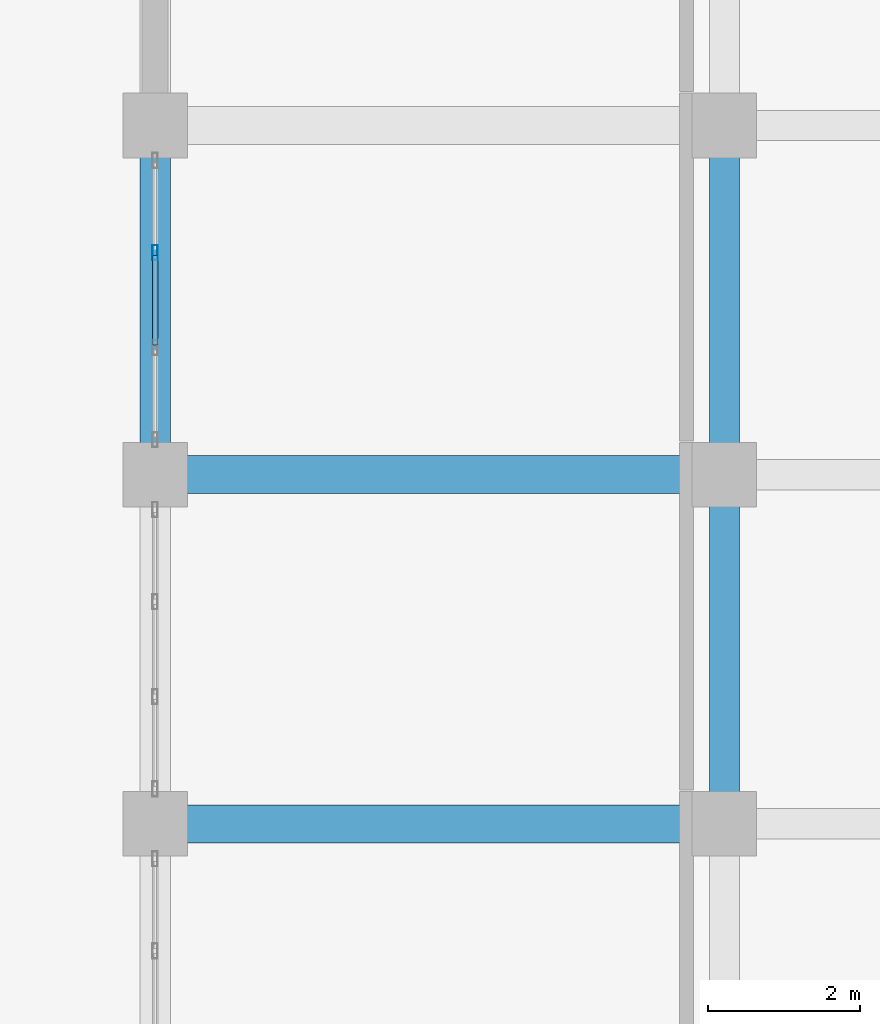
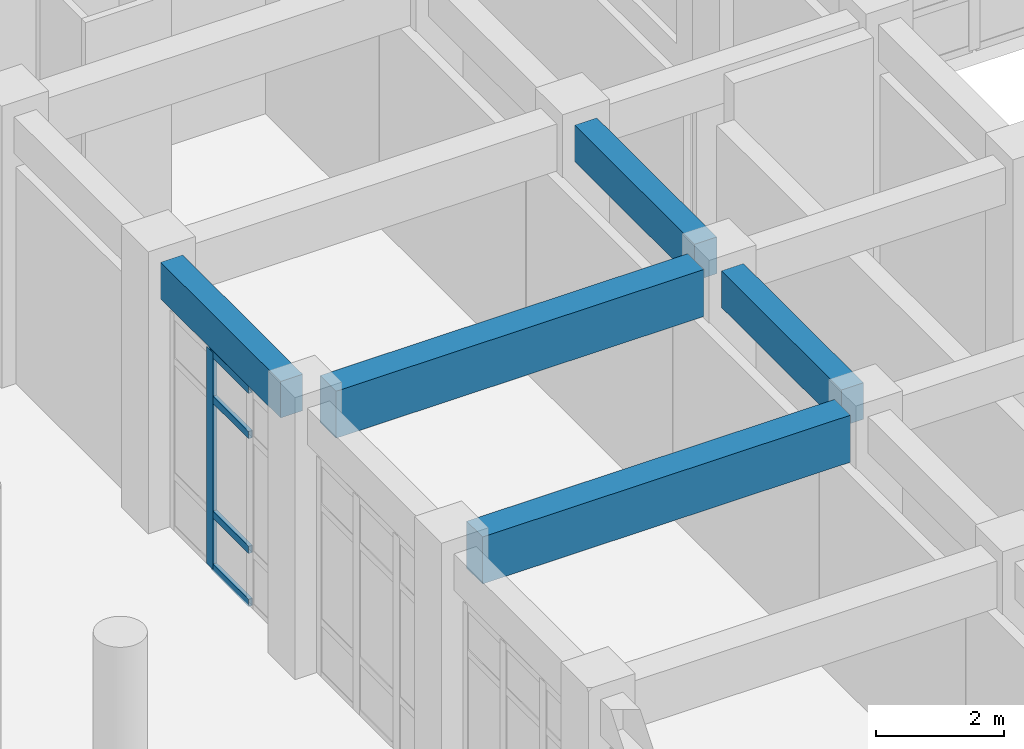
# One storey, part 15 of 84: 5 beams, 5 members, 1 element without a shape of its own.
"""IFC4 building model written with IfcOpenShell, lengths in metres."""

from ifc_helpers import new_model, si_unit, direction, frame, origin, origin_2d, place, context, subcontext, project, spatial, rectangle, hollow_rectangle, extrude, material, layer, layer_set, material_profile, profile_set, type_object, element, aggregate, save


model = new_model("IFC4")

# Units and contexts
model_context = context("Model", 3, precision=1e-05, world=origin(), true_north=direction((0.0, 1.0)))
body_context = subcontext(model_context, "Body", "Model", "MODEL_VIEW")
ifc_project = project(units=[si_unit("LENGTHUNIT", "METRE"), si_unit("AREAUNIT", "SQUARE_METRE"), si_unit("VOLUMEUNIT", "CUBIC_METRE"), si_unit("PLANEANGLEUNIT", "RADIAN"), si_unit("MASSUNIT", "GRAM", prefix="KILO")], contexts=[model_context])

# Site, building, storey
site_placement = place(None, origin())
site = spatial("IfcSite", under=ifc_project, at=site_placement, CompositionType="ELEMENT")
building_placement = place(site_placement, origin())
building = spatial("IfcBuilding", under=site, at=building_placement, Name="Muzn Square Opera House", CompositionType="ELEMENT")
storey_placement = place(building_placement, origin())
storey = spatial("IfcBuildingStorey", under=building, at=storey_placement, Name="L00", CompositionType="ELEMENT", Elevation=0.0)

# Curtain wall, members
ifc_material_1 = material(Name="Low-E laminated acoustic double glazing", Category="glass")
ifc_layer = layer(ifc_material_1, 0.159912109375, Name="Low-E laminated acoustic double glazing", Category="glass")
ifc_layer_set = layer_set([ifc_layer], Name="Low-E laminated acoustic double glazing")
curtain_wall_type = type_object("IfcCurtainWallType", Name="Glazed Curtain Wall WestBlvd 3750x4150", PredefinedType="USERDEFINED", material=ifc_layer_set)
curtain_wall_placement = place(storey_placement, origin())
curtain_wall = element("IfcCurtainWall", 1, at=curtain_wall_placement, inside=storey, type_object=curtain_wall_type, Name="Glazed Curtain Wall CW-L00-138", ObjectType="GLAZED CURTAIN WALL", PredefinedType="USERDEFINED")
ifc_material_2 = material(Name="Anodised bronze aluminium 6063-T6", Category="metal")
ifc_material_profile_1 = material_profile(ifc_material_2, hollow_rectangle(XDim=0.070068359375, YDim=0.199951171875, WallThickness=0.0048828125, at=origin_2d()), Name="ALU 200x70x5", Category="metal")
ifc_profile_set_1 = profile_set([ifc_material_profile_1], Name="Anodised bronze aluminium 6063-T6")
member_type_1 = type_object("IfcMemberType", Name="Curtain Wall Mullion 200x70", PredefinedType="MULLION", material=ifc_profile_set_1)
member_1_placement = place(storey_placement, frame((6.0, 47.925048828125, 0.0), z_axis=(0.0, 0.0, 1.0), x_axis=(-1.0, 0.0, 0.0)))
member_1 = element("IfcMember", 2, at=member_1_placement, type_object=member_type_1, Name="CW-WBL-37x41 mullion 3", PredefinedType="MULLION", context=body_context, shape_type="SweptSolid", body=[
    extrude(hollow_rectangle(XDim=0.070068359375, YDim=0.199951171875, WallThickness=0.0048828125, at=origin_2d()), origin(), (0.0, 0.0, 1.0), 4.14990234375),
])
ifc_material_profile_2 = material_profile(ifc_material_2, hollow_rectangle(XDim=0.070068359375, YDim=0.139892578125, WallThickness=0.00390625, at=origin_2d()), Name="ALU 140x70x4", Category="metal")
ifc_profile_set_2 = profile_set([ifc_material_profile_2], Name="Anodised bronze aluminium 6063-T6")
member_type_2 = type_object("IfcMemberType", Name="Curtain Wall Transom 140x70", PredefinedType="USERDEFINED", material=ifc_profile_set_2)
member_2_placement = place(storey_placement, frame((6.0, 46.7099609375, 0.034912109375), z_axis=(0.0, 1.0, 0.0), x_axis=(-1.0, 0.0, 0.0)))
member_2 = element("IfcMember", 3, at=member_2_placement, type_object=member_type_2, Name="CW-WBL-37x41 transom 2.1", ObjectType="TRANSOM", PredefinedType="USERDEFINED", context=body_context, shape_type="SweptSolid", body=[
    extrude(hollow_rectangle(XDim=0.070068359375, YDim=0.139892578125, WallThickness=0.00390625, at=origin_2d()), origin(), (0.0, 0.0, 1.0), 1.179931640625),
])
member_3_placement = place(storey_placement, frame((6.0, 46.7099609375, 1.050048828125), z_axis=(0.0, 1.0, 0.0), x_axis=(-1.0, 0.0, 0.0)))
member_3 = element("IfcMember", 4, at=member_3_placement, type_object=member_type_2, Name="CW-WBL-37x41 transom 2.2", ObjectType="TRANSOM", PredefinedType="USERDEFINED", context=body_context, shape_type="SweptSolid", body=[
    extrude(hollow_rectangle(XDim=0.070068359375, YDim=0.139892578125, WallThickness=0.00390625, at=origin_2d()), origin(), (0.0, 0.0, 1.0), 1.179931640625),
])
member_4_placement = place(storey_placement, frame((6.0, 46.7099609375, 3.25), z_axis=(0.0, 1.0, 0.0), x_axis=(-1.0, 0.0, 0.0)))
member_4 = element("IfcMember", 5, at=member_4_placement, type_object=member_type_2, Name="CW-WBL-37x41 transom 2.3", ObjectType="TRANSOM", PredefinedType="USERDEFINED", context=body_context, shape_type="SweptSolid", body=[
    extrude(hollow_rectangle(XDim=0.070068359375, YDim=0.139892578125, WallThickness=0.00390625, at=origin_2d()), origin(), (0.0, 0.0, 1.0), 1.179931640625),
])
member_5_placement = place(storey_placement, frame((6.0, 46.7099609375, 4.114990234375), z_axis=(0.0, 1.0, 0.0), x_axis=(-1.0, 0.0, 0.0)))
member_5 = element("IfcMember", 6, at=member_5_placement, type_object=member_type_2, Name="CW-WBL-37x41 transom 2.4", ObjectType="TRANSOM", PredefinedType="USERDEFINED", context=body_context, shape_type="SweptSolid", body=[
    extrude(hollow_rectangle(XDim=0.070068359375, YDim=0.139892578125, WallThickness=0.00390625, at=origin_2d()), origin(), (0.0, 0.0, 1.0), 1.179931640625),
])
aggregate(curtain_wall, [member_1, member_2, member_3, member_4, member_5])

# Beams
ifc_material_3 = material(Name="Concrete C40/50", Category="concrete")
ifc_material_profile_3 = material_profile(ifc_material_3, rectangle(XDim=0.39990234375, YDim=0.699951171875, at=origin_2d()), Name="RCB 400x700", Category="concrete")
ifc_profile_set_3 = profile_set([ifc_material_profile_3], Name="Concrete C40/50")
beam_type_1 = type_object("IfcBeamType", Name="Primary Girder 400x700", PredefinedType="BEAM", material=ifc_profile_set_3)
for number, where, z_axis, x_axis, name in (
    (7, (6.0, 45.4169921875, 4.77001953125), (0.0, 1.0, 0.0), (-1.0, 0.0, 0.0), "Primary Girder BM-L00-BM-PG700-60_454_60_492-961"),
    (8, (13.5, 40.81689453125, 4.77001953125), (0.0, 1.0, 0.0), (-1.0, 0.0, 0.0), "Primary Girder BM-L00-BM-PG700-135_408_135_446-971"),
    (9, (13.5, 45.4169921875, 4.77001953125), (0.0, 1.0, 0.0), (-1.0, 0.0, 0.0), "Primary Girder BM-L00-BM-PG700-135_454_135_492-972"),
):
    element("IfcBeam", number, at=place(storey_placement, frame(where, z_axis=z_axis, x_axis=x_axis)), inside=storey, type_object=beam_type_1, Name=name, PredefinedType="BEAM", context=body_context, shape_type="SweptSolid", body=[
        extrude(rectangle(XDim=0.39990234375, YDim=0.699951171875, at=origin_2d()), origin(), (0.0, 0.0, 1.0), 3.76611328125),
    ])
ifc_material_profile_4 = material_profile(ifc_material_3, rectangle(XDim=0.5, YDim=0.89990234375, at=origin_2d()), Name="RCB 500x900", Category="concrete")
ifc_profile_set_4 = profile_set([ifc_material_profile_4], Name="Concrete C40/50")
beam_type_2 = type_object("IfcBeamType", Name="Primary Girder 500x900", PredefinedType="BEAM", material=ifc_profile_set_4)
for number, where, z_axis, x_axis, name in (
    (10, (6.4169921875, 40.39990234375, 4.669921875), (1.0, 0.0, 0.0), (0.0, 1.0, 0.0), "Primary Girder BM-L00-BM-PG900-64_404_131_404-821"),
    (11, (6.4169921875, 45.0, 4.669921875), (1.0, 0.0, 0.0), (0.0, 1.0, 0.0), "Primary Girder BM-L00-BM-PG900-64_450_131_450-827"),
):
    element("IfcBeam", number, at=place(storey_placement, frame(where, z_axis=z_axis, x_axis=x_axis)), inside=storey, type_object=beam_type_2, Name=name, PredefinedType="BEAM", context=body_context, shape_type="SweptSolid", body=[
        extrude(rectangle(XDim=0.5, YDim=0.89990234375, at=origin_2d()), origin(), (0.0, 0.0, 1.0), 6.666015625),
    ])

save(model, "model.ifc")
